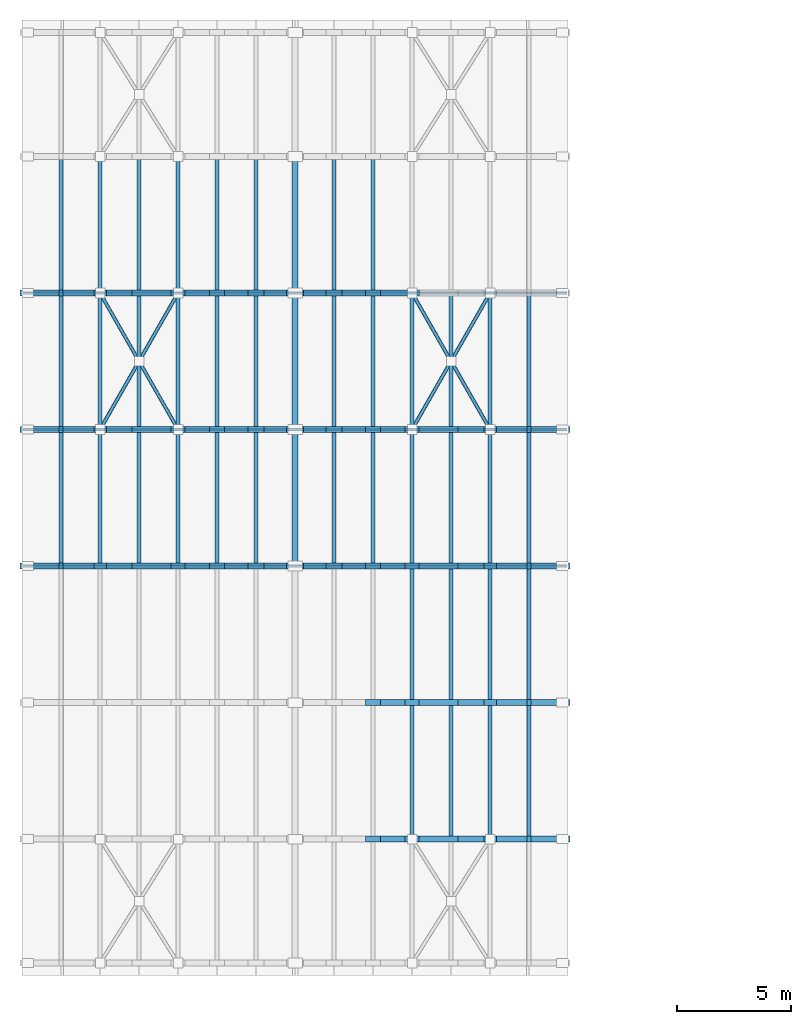
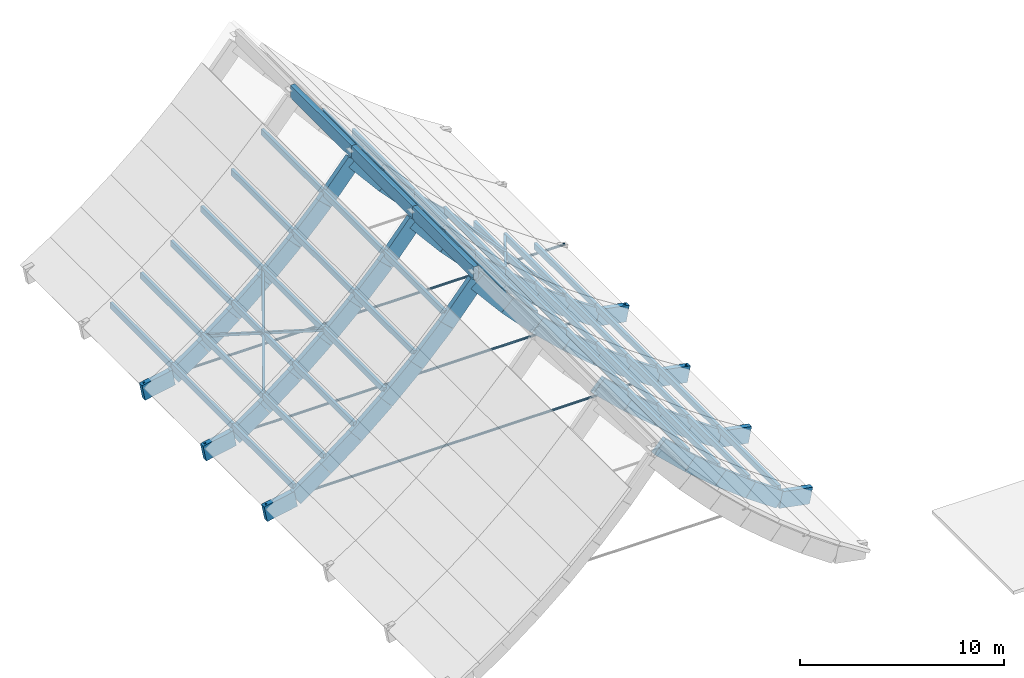
# One storey, part 2 of 7: 97 members, 3 beams.
"""IFC4 building model written with IfcOpenShell, lengths in metres."""

import ifcopenshell
import ifcopenshell.guid

model = None  # the IFC model being written
_history = None  # IfcOwnerHistory: only IFC2X3 demands one
_inside = {}  # id of a spatial element -> (the spatial element, [elements in it])
_under = {}  # id of a project, library or spatial element -> (it, [spatial elements below it])
_declared = {}  # id of a project -> (the project, [libraries it declares])
_typed = {}  # id of a type object -> (the type object, [elements of that type])
_made_of = {}  # id of a material, layer set ... -> (it, [elements and type objects made of it])


def new_model(schema):
    """Start an empty IFC model of exactly this schema.

    Asked for "IFC4X3", IfcOpenShell would pick the latest addendum, in which some entities
    have other attributes; the version numbers below select the first issue.
    IFC2X3 requires an IfcOwnerHistory on every rooted entity: one is made here for all.
    """
    global model, _history
    if schema == "IFC4X3":
        model = ifcopenshell.file(schema_version=(4, 3, 0, 0))
    else:
        model = ifcopenshell.file(schema=schema)
    _inside.clear()
    _under.clear()
    _declared.clear()
    _typed.clear()
    _made_of.clear()
    _history = None
    if model.schema == "IFC2X3":
        org = make("IfcOrganization", Name="unknown")
        user = make(
            "IfcPersonAndOrganization",
            ThePerson=make("IfcPerson", FamilyName="unknown"),
            TheOrganization=org,
        )
        app = make(
            "IfcApplication",
            ApplicationDeveloper=org,
            Version="unknown",
            ApplicationFullName="unknown",
            ApplicationIdentifier="unknown",
        )
        _history = make(
            "IfcOwnerHistory",
            OwningUser=user,
            OwningApplication=app,
            ChangeAction="ADDED",
            CreationDate=0,
        )
    return model


def make(cls, **values):
    """One entity of the class cls with the attributes given. An attribute that is None is left unset."""
    return model.create_entity(
        cls, **{name: value for name, value in values.items() if value is not None}
    )


def rooted(cls, **values):
    """An entity with a GlobalId (a new one), such as an element, a storey or a relation."""
    return make(cls, GlobalId=ifcopenshell.guid.new(), OwnerHistory=_history, **values)


def si_unit(unit_type, name, prefix=None):
    """IfcSIUnit, for example si_unit("LENGTHUNIT", "METRE", prefix="MILLI")."""
    return make("IfcSIUnit", UnitType=unit_type, Prefix=prefix, Name=name)


def assignment(units):
    """IfcUnitAssignment: the units of a project."""
    return None if units is None else make("IfcUnitAssignment", Units=units)


def point(xyz):
    """IfcCartesianPoint."""
    return None if xyz is None else make("IfcCartesianPoint", Coordinates=xyz)


def direction(xyz):
    """IfcDirection."""
    return None if xyz is None else make("IfcDirection", DirectionRatios=xyz)


def frame(location, z_axis=None, x_axis=None):
    """IfcAxis2Placement3D, a coordinate frame: its origin and axes. An axis left out is left unset."""
    return make(
        "IfcAxis2Placement3D",
        Location=point(location),
        Axis=direction(z_axis),
        RefDirection=direction(x_axis),
    )


def frame_2d(location, x_axis=None):
    """IfcAxis2Placement2D, a coordinate frame in the plane: its origin and x axis."""
    return make(
        "IfcAxis2Placement2D", Location=point(location), RefDirection=direction(x_axis)
    )


def origin():
    """The frame at (0, 0, 0) with its axes left unset."""
    return frame((0.0, 0.0, 0.0))


def origin_2d():
    """The frame at (0, 0) in the plane with its x axis left unset."""
    return frame_2d((0.0, 0.0))


def place(relative_to, where):
    """IfcLocalPlacement: puts the frame where relative to a parent placement (None: the world)."""
    return make(
        "IfcLocalPlacement", PlacementRelTo=relative_to, RelativePlacement=where
    )


def context(
    kind, dimensions, precision=None, world=None, true_north=None, identifier=None
):
    """IfcGeometricRepresentationContext, for example the 3D "Model" context."""
    return make(
        "IfcGeometricRepresentationContext",
        ContextIdentifier=identifier,
        ContextType=kind,
        CoordinateSpaceDimension=dimensions,
        Precision=precision,
        WorldCoordinateSystem=world,
        TrueNorth=true_north,
    )


def subcontext(parent, identifier, kind, view, scale=None):
    """IfcGeometricRepresentationSubContext, for example "Body" below "Model"."""
    return make(
        "IfcGeometricRepresentationSubContext",
        ContextIdentifier=identifier,
        ContextType=kind,
        ParentContext=parent,
        TargetScale=scale,
        TargetView=view,
    )


def project(units=None, contexts=None):
    """IfcProject with its units and contexts."""
    return rooted(
        "IfcProject",
        Name="project",
        RepresentationContexts=contexts,
        UnitsInContext=assignment(units),
    )


def spatial(cls, under=None, at=None, **own):
    """A site, building, storey or space (cls), placed at a placement, below another one or the project."""
    s = rooted(cls, ObjectPlacement=at, **own)
    if under is not None:
        _under.setdefault(under.id(), (under, []))[1].append(s)
    return s


def profile(cls, at=None, kind="AREA", **sizes):
    """A parametric profile (cls). Its sizes go by their IFC names, for example OverallWidth=200.0."""
    return make(cls, ProfileType=kind, Position=at, **sizes)


def rectangle(**sizes):
    """IfcRectangleProfileDef."""
    return profile("IfcRectangleProfileDef", **sizes)


def hollow_rectangle(**sizes):
    """IfcRectangleHollowProfileDef."""
    return profile("IfcRectangleHollowProfileDef", **sizes)


def hollow_circle(**sizes):
    """IfcCircleHollowProfileDef."""
    return profile("IfcCircleHollowProfileDef", **sizes)


def extrude(swept, where, along, depth):
    """IfcExtrudedAreaSolid: the profile swept, set in the frame where, extruded along a direction by depth."""
    return make(
        "IfcExtrudedAreaSolid",
        SweptArea=swept,
        Position=where,
        ExtrudedDirection=direction(along),
        Depth=depth,
    )


def shape(context_of_items, identifier, shape_type, items):
    """IfcShapeRepresentation: the items that make up one representation, for example the "Body"."""
    return make(
        "IfcShapeRepresentation",
        ContextOfItems=context_of_items,
        RepresentationIdentifier=identifier,
        RepresentationType=shape_type,
        Items=items,
    )


def material(Name=None, Category=None):
    """IfcMaterial."""
    return make("IfcMaterial", Name=Name, Category=Category)


def material_profile(
    of_material, cross_section, Name=None, Category=None, Priority=None
):
    """IfcMaterialProfile: a cross section and its material."""
    return make(
        "IfcMaterialProfile",
        Name=Name,
        Material=of_material,
        Profile=cross_section,
        Priority=Priority,
        Category=Category,
    )


def profile_set(profiles, Name=None, composite=None):
    """IfcMaterialProfileSet."""
    return make(
        "IfcMaterialProfileSet",
        Name=Name,
        MaterialProfiles=profiles,
        CompositeProfile=composite,
    )


def made_of(thing, what):
    """Note that an element or type object is made of a material, layer set ...; save() writes the relation."""
    if what is not None:
        _made_of.setdefault(what.id(), (what, []))[1].append(thing)
    return thing


def type_object(cls, material=None, **own):
    """A type object (cls), such as IfcWallType, which elements share."""
    return made_of(rooted(cls, **own), material)


def element(
    cls,
    number,
    at=None,
    inside=None,
    cuts=None,
    type_object=None,
    material=None,
    context=None,
    identifier="Body",
    shape_type=None,
    held_by="IfcProductDefinitionShape",
    body=None,
    shapes=None,
    **own,
):
    """One element of the class cls, such as IfcWall. Its Tag is "e" and its number.

    at: its placement. inside: the storey or other place that contains it. cuts: it is an
    opening in that element (IfcRelVoidsElement). A single representation is given by context,
    identifier, shape_type and body (its items); several are given by shapes. held_by: the class
    of the entity that holds the representations. save() writes the other relations.
    """
    e = rooted(cls, Tag="e%d" % number, ObjectPlacement=at, **own)
    if body is not None:
        shapes = [shape(context, identifier, shape_type, body)]
    if shapes is not None:
        e.Representation = make(held_by, Representations=shapes)
    if inside is not None:
        _inside.setdefault(inside.id(), (inside, []))[1].append(e)
    if cuts is not None:
        rooted(
            "IfcRelVoidsElement", RelatingBuildingElement=cuts, RelatedOpeningElement=e
        )
    if type_object is not None:
        _typed.setdefault(type_object.id(), (type_object, []))[1].append(e)
    return made_of(e, material)


def aggregate(whole, parts):
    """IfcRelAggregates: a whole, such as a stair, and the parts it consists of."""
    return rooted("IfcRelAggregates", RelatingObject=whole, RelatedObjects=parts)


def save(model, path):
    """Write the relations noted so far, then the file.

    IfcRelAggregates (storeys below a building ...), IfcRelContainedInSpatialStructure (elements
    in a storey), IfcRelDefinesByType, IfcRelAssociatesMaterial and IfcRelDeclares: one each for
    every whole, place, type object, material and project.
    """
    for whole, parts in _under.values():
        aggregate(whole, parts)
    for where, things in _inside.values():
        rooted(
            "IfcRelContainedInSpatialStructure",
            RelatedElements=things,
            RelatingStructure=where,
        )
    for kind, things in _typed.values():
        rooted("IfcRelDefinesByType", RelatedObjects=things, RelatingType=kind)
    for what, things in _made_of.values():
        rooted("IfcRelAssociatesMaterial", RelatedObjects=things, RelatingMaterial=what)
    for by, libraries in _declared.values():
        rooted("IfcRelDeclares", RelatingContext=by, RelatedDefinitions=libraries)
    model.write(path)


model = new_model("IFC4")

# Units and contexts
model_context = context("Model", 3, precision=1e-05, world=origin(), true_north=direction((0.0, 1.0)))
body_context = subcontext(model_context, "Body", "Model", "MODEL_VIEW")
ifc_project = project(units=[si_unit("LENGTHUNIT", "METRE"), si_unit("AREAUNIT", "SQUARE_METRE"), si_unit("VOLUMEUNIT", "CUBIC_METRE"), si_unit("PLANEANGLEUNIT", "RADIAN"), si_unit("MASSUNIT", "GRAM", prefix="KILO")], contexts=[model_context])

# Site, building, storey
site_placement = place(None, origin())
site = spatial("IfcSite", under=ifc_project, at=site_placement, CompositionType="ELEMENT")
building_placement = place(site_placement, origin())
building = spatial("IfcBuilding", under=site, at=building_placement, Name="Solvane Community Centre", CompositionType="ELEMENT")
storey_placement = place(building_placement, frame((0.0, 0.0, 22.199951171875)))
storey = spatial("IfcBuildingStorey", under=building, at=storey_placement, Name="RF", CompositionType="ELEMENT", Elevation=22.199951171875)

# Beams
ifc_material_1 = material(Name="Glulam GL32h", Category="wood")
ifc_material_profile_1 = material_profile(ifc_material_1, rectangle(XDim=0.260009765625, YDim=0.760009765625, at=origin_2d()), Name="GL32h 260x760")
ifc_profile_set_1 = profile_set([ifc_material_profile_1], Name="Glulam GL32h")
beam_type = type_object("IfcBeamType", Name="Glulam Vault Apex Ridge 260x760", PredefinedType="USERDEFINED", material=ifc_profile_set_1)
for number, where, z_axis, x_axis, name in (
    (1, (48.0, 54.0, 3.901123046875), (0.0, 1.0, 0.0), (-1.0, 0.0, 0.0), "Beam BM-RF-480_540-480_600"),
    (2, (48.0, 60.0, 3.901123046875), (0.0, 1.0, 0.0), (-1.0, 0.0, 0.0), "Beam BM-RF-480_600-480_660"),
    (3, (48.0, 66.0, 3.901123046875), (0.0, 1.0, 0.0), (-1.0, 0.0, 0.0), "Beam BM-RF-480_660-480_720"),
):
    element("IfcBeam", number, at=place(storey_placement, frame(where, z_axis=z_axis, x_axis=x_axis)), inside=storey, type_object=beam_type, Name=name, ObjectType="GIRDER", PredefinedType="USERDEFINED", context=body_context, shape_type="SweptSolid", body=[
        extrude(rectangle(XDim=0.260009765625, YDim=0.760009765625, at=origin_2d()), origin(), (0.0, 0.0, 1.0), 6.0),
    ])

# Members
ifc_material_profile_2 = material_profile(ifc_material_1, rectangle(XDim=0.280029296875, YDim=0.9599609375, at=origin_2d()), Name="GL32h 280x960")
ifc_profile_set_2 = profile_set([ifc_material_profile_2], Name="Glulam GL32h")
member_type_1 = type_object("IfcMemberType", Name="Main Hall Concave Vault Arch Rib 280x960", PredefinedType="USERDEFINED", material=ifc_profile_set_2)
member_1_placement = place(storey_placement, frame((51.428466796875, 42.0, -0.3740234375), z_axis=(0.727369263195, 0.0, -0.686246278648), x_axis=(0.0, 1.0, 0.0)))
element("IfcMember", 4, at=member_1_placement, inside=storey, type_object=member_type_1, Name="Member MEM-RF-0024", ObjectType="ARCH_SEGMENT", PredefinedType="USERDEFINED", context=body_context, shape_type="SweptSolid", body=[
    extrude(rectangle(XDim=0.280029296875, YDim=0.9599609375, at=origin_2d()), origin(), (0.0, 0.0, 1.0), 2.35693359375),
])
member_2_placement = place(storey_placement, frame((53.142822265625, 42.0, -1.991455078125), z_axis=(0.761120350915, 0.0, -0.648610677852), x_axis=(0.0, 1.0, 0.0)))
element("IfcMember", 5, at=member_2_placement, inside=storey, type_object=member_type_1, Name="Member MEM-RF-0025", ObjectType="ARCH_SEGMENT", PredefinedType="USERDEFINED", context=body_context, shape_type="SweptSolid", body=[
    extrude(rectangle(XDim=0.280029296875, YDim=0.9599609375, at=origin_2d()), origin(), (0.0, 0.0, 1.0), 2.25244140625),
])
member_3_placement = place(storey_placement, frame((54.857177734375, 42.0, -3.452392578125), z_axis=(0.791780697504, 0.0, -0.610805473993), x_axis=(0.0, 1.0, 0.0)))
element("IfcMember", 6, at=member_3_placement, inside=storey, type_object=member_type_1, Name="Member MEM-RF-0026", ObjectType="ARCH_SEGMENT", PredefinedType="USERDEFINED", context=body_context, shape_type="SweptSolid", body=[
    extrude(rectangle(XDim=0.280029296875, YDim=0.9599609375, at=origin_2d()), origin(), (0.0, 0.0, 1.0), 2.165283203125),
])
member_4_placement = place(storey_placement, frame((56.571533203125, 42.0, -4.77490234375), z_axis=(0.819489561323, 0.0, -0.57309410997), x_axis=(0.0, 1.0, 0.0)))
element("IfcMember", 7, at=member_4_placement, inside=storey, type_object=member_type_1, Name="Member MEM-RF-0027", ObjectType="ARCH_SEGMENT", PredefinedType="USERDEFINED", context=body_context, shape_type="SweptSolid", body=[
    extrude(rectangle(XDim=0.280029296875, YDim=0.9599609375, at=origin_2d()), origin(), (0.0, 0.0, 1.0), 2.091796875),
])
member_5_placement = place(storey_placement, frame((58.28564453125, 42.0, -5.9736328125), z_axis=(0.982352033108, 0.0, -0.187041393943), x_axis=(0.0, 1.0, 0.0)))
element("IfcMember", 8, at=member_5_placement, inside=storey, type_object=member_type_1, Name="Member MEM-RF-0028", ObjectType="ARCH_SEGMENT", PredefinedType="USERDEFINED", context=body_context, shape_type="SweptSolid", body=[
    extrude(rectangle(XDim=0.280029296875, YDim=0.9599609375, at=origin_2d()), origin(), (0.0, 0.0, 1.0), 1.7451171875),
])
member_6_placement = place(storey_placement, frame((51.428466796875, 48.0, -0.3740234375), z_axis=(0.727369263195, 0.0, -0.686246278648), x_axis=(0.0, 1.0, 0.0)))
element("IfcMember", 9, at=member_6_placement, inside=storey, type_object=member_type_1, Name="Member MEM-RF-0039", ObjectType="ARCH_SEGMENT", PredefinedType="USERDEFINED", context=body_context, shape_type="SweptSolid", body=[
    extrude(rectangle(XDim=0.280029296875, YDim=0.9599609375, at=origin_2d()), origin(), (0.0, 0.0, 1.0), 2.35693359375),
])
member_7_placement = place(storey_placement, frame((53.142822265625, 48.0, -1.991455078125), z_axis=(0.761120350915, 0.0, -0.648610677852), x_axis=(0.0, 1.0, 0.0)))
element("IfcMember", 10, at=member_7_placement, inside=storey, type_object=member_type_1, Name="Member MEM-RF-0040", ObjectType="ARCH_SEGMENT", PredefinedType="USERDEFINED", context=body_context, shape_type="SweptSolid", body=[
    extrude(rectangle(XDim=0.280029296875, YDim=0.9599609375, at=origin_2d()), origin(), (0.0, 0.0, 1.0), 2.25244140625),
])
member_8_placement = place(storey_placement, frame((54.857177734375, 48.0, -3.452392578125), z_axis=(0.791780697504, 0.0, -0.610805473993), x_axis=(0.0, 1.0, 0.0)))
element("IfcMember", 11, at=member_8_placement, inside=storey, type_object=member_type_1, Name="Member MEM-RF-0041", ObjectType="ARCH_SEGMENT", PredefinedType="USERDEFINED", context=body_context, shape_type="SweptSolid", body=[
    extrude(rectangle(XDim=0.280029296875, YDim=0.9599609375, at=origin_2d()), origin(), (0.0, 0.0, 1.0), 2.165283203125),
])
member_9_placement = place(storey_placement, frame((56.571533203125, 48.0, -4.77490234375), z_axis=(0.819489561323, 0.0, -0.57309410997), x_axis=(0.0, 1.0, 0.0)))
element("IfcMember", 12, at=member_9_placement, inside=storey, type_object=member_type_1, Name="Member MEM-RF-0042", ObjectType="ARCH_SEGMENT", PredefinedType="USERDEFINED", context=body_context, shape_type="SweptSolid", body=[
    extrude(rectangle(XDim=0.280029296875, YDim=0.9599609375, at=origin_2d()), origin(), (0.0, 0.0, 1.0), 2.091796875),
])
for number, where, z_axis, x_axis, name in (
    (13, (58.28564453125, 48.0, -5.9736328125), (0.982352033108, 0.0, -0.187041393943), (0.0, 1.0, 0.0), "Member MEM-RF-0043"),
    (14, (36.0, 54.0, -6.300048828125), (0.982352033108, 0.0, 0.187041393943), (0.0, 1.0, 0.0), "Member MEM-RF-0045"),
):
    element("IfcMember", number, at=place(storey_placement, frame(where, z_axis=z_axis, x_axis=x_axis)), inside=storey, type_object=member_type_1, Name=name, ObjectType="ARCH_SEGMENT", PredefinedType="USERDEFINED", context=body_context, shape_type="SweptSolid", body=[
        extrude(rectangle(XDim=0.280029296875, YDim=0.9599609375, at=origin_2d()), origin(), (0.0, 0.0, 1.0), 1.7451171875),
    ])
member_10_placement = place(storey_placement, frame((37.71435546875, 54.0, -5.9736328125), z_axis=(0.819489561323, 0.0, 0.57309410997), x_axis=(0.0, 1.0, 0.0)))
element("IfcMember", 15, at=member_10_placement, inside=storey, type_object=member_type_1, Name="Member MEM-RF-0046", ObjectType="ARCH_SEGMENT", PredefinedType="USERDEFINED", context=body_context, shape_type="SweptSolid", body=[
    extrude(rectangle(XDim=0.280029296875, YDim=0.9599609375, at=origin_2d()), origin(), (0.0, 0.0, 1.0), 2.091796875),
])
member_11_placement = place(storey_placement, frame((39.428466796875, 54.0, -4.77490234375), z_axis=(0.791780697504, 0.0, 0.610805473993), x_axis=(0.0, 1.0, 0.0)))
element("IfcMember", 16, at=member_11_placement, inside=storey, type_object=member_type_1, Name="Member MEM-RF-0047", ObjectType="ARCH_SEGMENT", PredefinedType="USERDEFINED", context=body_context, shape_type="SweptSolid", body=[
    extrude(rectangle(XDim=0.280029296875, YDim=0.9599609375, at=origin_2d()), origin(), (0.0, 0.0, 1.0), 2.165283203125),
])
member_12_placement = place(storey_placement, frame((41.142822265625, 54.0, -3.452392578125), z_axis=(0.761120350915, 0.0, 0.648610677852), x_axis=(0.0, 1.0, 0.0)))
element("IfcMember", 17, at=member_12_placement, inside=storey, type_object=member_type_1, Name="Member MEM-RF-0048", ObjectType="ARCH_SEGMENT", PredefinedType="USERDEFINED", context=body_context, shape_type="SweptSolid", body=[
    extrude(rectangle(XDim=0.280029296875, YDim=0.9599609375, at=origin_2d()), origin(), (0.0, 0.0, 1.0), 2.25244140625),
])
member_13_placement = place(storey_placement, frame((42.857177734375, 54.0, -1.991455078125), z_axis=(0.727369263195, 0.0, 0.686246278648), x_axis=(0.0, 1.0, 0.0)))
element("IfcMember", 18, at=member_13_placement, inside=storey, type_object=member_type_1, Name="Member MEM-RF-0049", ObjectType="ARCH_SEGMENT", PredefinedType="USERDEFINED", context=body_context, shape_type="SweptSolid", body=[
    extrude(rectangle(XDim=0.280029296875, YDim=0.9599609375, at=origin_2d()), origin(), (0.0, 0.0, 1.0), 2.35693359375),
])
member_14_placement = place(storey_placement, frame((44.571533203125, 54.0, -0.3740234375), z_axis=(0.689706682626, 0.0, 0.724088870195), x_axis=(0.0, 1.0, 0.0)))
element("IfcMember", 19, at=member_14_placement, inside=storey, type_object=member_type_1, Name="Member MEM-RF-0050", ObjectType="ARCH_SEGMENT", PredefinedType="USERDEFINED", context=body_context, shape_type="SweptSolid", body=[
    extrude(rectangle(XDim=0.280029296875, YDim=0.9599609375, at=origin_2d()), origin(), (0.0, 0.0, 1.0), 2.4853515625),
])
for number, where, z_axis, x_axis, name in (
    (20, (46.28564453125, 54.0, 1.425537109375), (0.643260831672, 0.0, 0.765647113517), (0.0, 1.0, 0.0), "Member MEM-RF-0051"),
    (21, (48.0, 54.0, 3.466064453125), (0.643260831672, 0.0, -0.765647113517), (0.0, 1.0, 0.0), "Member MEM-RF-0052"),
):
    element("IfcMember", number, at=place(storey_placement, frame(where, z_axis=z_axis, x_axis=x_axis)), inside=storey, type_object=member_type_1, Name=name, ObjectType="ARCH_SEGMENT", PredefinedType="USERDEFINED", context=body_context, shape_type="SweptSolid", body=[
        extrude(rectangle(XDim=0.280029296875, YDim=0.9599609375, at=origin_2d()), origin(), (0.0, 0.0, 1.0), 2.6650390625),
    ])
member_15_placement = place(storey_placement, frame((49.71435546875, 54.0, 1.425537109375), z_axis=(0.689706682626, 0.0, -0.724088870195), x_axis=(0.0, 1.0, 0.0)))
element("IfcMember", 22, at=member_15_placement, inside=storey, type_object=member_type_1, Name="Member MEM-RF-0053", ObjectType="ARCH_SEGMENT", PredefinedType="USERDEFINED", context=body_context, shape_type="SweptSolid", body=[
    extrude(rectangle(XDim=0.280029296875, YDim=0.9599609375, at=origin_2d()), origin(), (0.0, 0.0, 1.0), 2.4853515625),
])
member_16_placement = place(storey_placement, frame((51.428466796875, 54.0, -0.3740234375), z_axis=(0.727369263195, 0.0, -0.686246278648), x_axis=(0.0, 1.0, 0.0)))
element("IfcMember", 23, at=member_16_placement, inside=storey, type_object=member_type_1, Name="Member MEM-RF-0054", ObjectType="ARCH_SEGMENT", PredefinedType="USERDEFINED", context=body_context, shape_type="SweptSolid", body=[
    extrude(rectangle(XDim=0.280029296875, YDim=0.9599609375, at=origin_2d()), origin(), (0.0, 0.0, 1.0), 2.35693359375),
])
member_17_placement = place(storey_placement, frame((53.142822265625, 54.0, -1.991455078125), z_axis=(0.761120350915, 0.0, -0.648610677852), x_axis=(0.0, 1.0, 0.0)))
element("IfcMember", 24, at=member_17_placement, inside=storey, type_object=member_type_1, Name="Member MEM-RF-0055", ObjectType="ARCH_SEGMENT", PredefinedType="USERDEFINED", context=body_context, shape_type="SweptSolid", body=[
    extrude(rectangle(XDim=0.280029296875, YDim=0.9599609375, at=origin_2d()), origin(), (0.0, 0.0, 1.0), 2.25244140625),
])
member_18_placement = place(storey_placement, frame((54.857177734375, 54.0, -3.452392578125), z_axis=(0.791780697504, 0.0, -0.610805473993), x_axis=(0.0, 1.0, 0.0)))
element("IfcMember", 25, at=member_18_placement, inside=storey, type_object=member_type_1, Name="Member MEM-RF-0056", ObjectType="ARCH_SEGMENT", PredefinedType="USERDEFINED", context=body_context, shape_type="SweptSolid", body=[
    extrude(rectangle(XDim=0.280029296875, YDim=0.9599609375, at=origin_2d()), origin(), (0.0, 0.0, 1.0), 2.165283203125),
])
member_19_placement = place(storey_placement, frame((56.571533203125, 54.0, -4.77490234375), z_axis=(0.819489561323, 0.0, -0.57309410997), x_axis=(0.0, 1.0, 0.0)))
element("IfcMember", 26, at=member_19_placement, inside=storey, type_object=member_type_1, Name="Member MEM-RF-0057", ObjectType="ARCH_SEGMENT", PredefinedType="USERDEFINED", context=body_context, shape_type="SweptSolid", body=[
    extrude(rectangle(XDim=0.280029296875, YDim=0.9599609375, at=origin_2d()), origin(), (0.0, 0.0, 1.0), 2.091796875),
])
for number, where, z_axis, x_axis, name in (
    (27, (58.28564453125, 54.0, -5.9736328125), (0.982352033108, 0.0, -0.187041393943), (0.0, 1.0, 0.0), "Member MEM-RF-0058"),
    (28, (36.0, 60.0, -6.300048828125), (0.982352033108, 0.0, 0.187041393943), (0.0, 1.0, 0.0), "Member MEM-RF-0060"),
):
    element("IfcMember", number, at=place(storey_placement, frame(where, z_axis=z_axis, x_axis=x_axis)), inside=storey, type_object=member_type_1, Name=name, ObjectType="ARCH_SEGMENT", PredefinedType="USERDEFINED", context=body_context, shape_type="SweptSolid", body=[
        extrude(rectangle(XDim=0.280029296875, YDim=0.9599609375, at=origin_2d()), origin(), (0.0, 0.0, 1.0), 1.7451171875),
    ])
member_20_placement = place(storey_placement, frame((37.71435546875, 60.0, -5.9736328125), z_axis=(0.819489561323, 0.0, 0.57309410997), x_axis=(0.0, 1.0, 0.0)))
element("IfcMember", 29, at=member_20_placement, inside=storey, type_object=member_type_1, Name="Member MEM-RF-0061", ObjectType="ARCH_SEGMENT", PredefinedType="USERDEFINED", context=body_context, shape_type="SweptSolid", body=[
    extrude(rectangle(XDim=0.280029296875, YDim=0.9599609375, at=origin_2d()), origin(), (0.0, 0.0, 1.0), 2.091796875),
])
member_21_placement = place(storey_placement, frame((39.428466796875, 60.0, -4.77490234375), z_axis=(0.791780697504, 0.0, 0.610805473993), x_axis=(0.0, 1.0, 0.0)))
element("IfcMember", 30, at=member_21_placement, inside=storey, type_object=member_type_1, Name="Member MEM-RF-0062", ObjectType="ARCH_SEGMENT", PredefinedType="USERDEFINED", context=body_context, shape_type="SweptSolid", body=[
    extrude(rectangle(XDim=0.280029296875, YDim=0.9599609375, at=origin_2d()), origin(), (0.0, 0.0, 1.0), 2.165283203125),
])
member_22_placement = place(storey_placement, frame((41.142822265625, 60.0, -3.452392578125), z_axis=(0.761120350915, 0.0, 0.648610677852), x_axis=(0.0, 1.0, 0.0)))
element("IfcMember", 31, at=member_22_placement, inside=storey, type_object=member_type_1, Name="Member MEM-RF-0063", ObjectType="ARCH_SEGMENT", PredefinedType="USERDEFINED", context=body_context, shape_type="SweptSolid", body=[
    extrude(rectangle(XDim=0.280029296875, YDim=0.9599609375, at=origin_2d()), origin(), (0.0, 0.0, 1.0), 2.25244140625),
])
member_23_placement = place(storey_placement, frame((42.857177734375, 60.0, -1.991455078125), z_axis=(0.727369263195, 0.0, 0.686246278648), x_axis=(0.0, 1.0, 0.0)))
element("IfcMember", 32, at=member_23_placement, inside=storey, type_object=member_type_1, Name="Member MEM-RF-0064", ObjectType="ARCH_SEGMENT", PredefinedType="USERDEFINED", context=body_context, shape_type="SweptSolid", body=[
    extrude(rectangle(XDim=0.280029296875, YDim=0.9599609375, at=origin_2d()), origin(), (0.0, 0.0, 1.0), 2.35693359375),
])
member_24_placement = place(storey_placement, frame((44.571533203125, 60.0, -0.3740234375), z_axis=(0.689706682626, 0.0, 0.724088870195), x_axis=(0.0, 1.0, 0.0)))
element("IfcMember", 33, at=member_24_placement, inside=storey, type_object=member_type_1, Name="Member MEM-RF-0065", ObjectType="ARCH_SEGMENT", PredefinedType="USERDEFINED", context=body_context, shape_type="SweptSolid", body=[
    extrude(rectangle(XDim=0.280029296875, YDim=0.9599609375, at=origin_2d()), origin(), (0.0, 0.0, 1.0), 2.4853515625),
])
for number, where, z_axis, x_axis, name in (
    (34, (46.28564453125, 60.0, 1.425537109375), (0.643260831672, 0.0, 0.765647113517), (0.0, 1.0, 0.0), "Member MEM-RF-0066"),
    (35, (48.0, 60.0, 3.466064453125), (0.643260831672, 0.0, -0.765647113517), (0.0, 1.0, 0.0), "Member MEM-RF-0067"),
):
    element("IfcMember", number, at=place(storey_placement, frame(where, z_axis=z_axis, x_axis=x_axis)), inside=storey, type_object=member_type_1, Name=name, ObjectType="ARCH_SEGMENT", PredefinedType="USERDEFINED", context=body_context, shape_type="SweptSolid", body=[
        extrude(rectangle(XDim=0.280029296875, YDim=0.9599609375, at=origin_2d()), origin(), (0.0, 0.0, 1.0), 2.6650390625),
    ])
member_25_placement = place(storey_placement, frame((49.71435546875, 60.0, 1.425537109375), z_axis=(0.689706682626, 0.0, -0.724088870195), x_axis=(0.0, 1.0, 0.0)))
element("IfcMember", 36, at=member_25_placement, inside=storey, type_object=member_type_1, Name="Member MEM-RF-0068", ObjectType="ARCH_SEGMENT", PredefinedType="USERDEFINED", context=body_context, shape_type="SweptSolid", body=[
    extrude(rectangle(XDim=0.280029296875, YDim=0.9599609375, at=origin_2d()), origin(), (0.0, 0.0, 1.0), 2.4853515625),
])
member_26_placement = place(storey_placement, frame((51.428466796875, 60.0, -0.3740234375), z_axis=(0.727369263195, 0.0, -0.686246278648), x_axis=(0.0, 1.0, 0.0)))
element("IfcMember", 37, at=member_26_placement, inside=storey, type_object=member_type_1, Name="Member MEM-RF-0069", ObjectType="ARCH_SEGMENT", PredefinedType="USERDEFINED", context=body_context, shape_type="SweptSolid", body=[
    extrude(rectangle(XDim=0.280029296875, YDim=0.9599609375, at=origin_2d()), origin(), (0.0, 0.0, 1.0), 2.35693359375),
])
member_27_placement = place(storey_placement, frame((53.142822265625, 60.0, -1.991455078125), z_axis=(0.761120350915, 0.0, -0.648610677852), x_axis=(0.0, 1.0, 0.0)))
element("IfcMember", 38, at=member_27_placement, inside=storey, type_object=member_type_1, Name="Member MEM-RF-0070", ObjectType="ARCH_SEGMENT", PredefinedType="USERDEFINED", context=body_context, shape_type="SweptSolid", body=[
    extrude(rectangle(XDim=0.280029296875, YDim=0.9599609375, at=origin_2d()), origin(), (0.0, 0.0, 1.0), 2.25244140625),
])
member_28_placement = place(storey_placement, frame((54.857177734375, 60.0, -3.452392578125), z_axis=(0.791780697504, 0.0, -0.610805473993), x_axis=(0.0, 1.0, 0.0)))
element("IfcMember", 39, at=member_28_placement, inside=storey, type_object=member_type_1, Name="Member MEM-RF-0071", ObjectType="ARCH_SEGMENT", PredefinedType="USERDEFINED", context=body_context, shape_type="SweptSolid", body=[
    extrude(rectangle(XDim=0.280029296875, YDim=0.9599609375, at=origin_2d()), origin(), (0.0, 0.0, 1.0), 2.165283203125),
])
member_29_placement = place(storey_placement, frame((56.571533203125, 60.0, -4.77490234375), z_axis=(0.819489561323, 0.0, -0.57309410997), x_axis=(0.0, 1.0, 0.0)))
element("IfcMember", 40, at=member_29_placement, inside=storey, type_object=member_type_1, Name="Member MEM-RF-0072", ObjectType="ARCH_SEGMENT", PredefinedType="USERDEFINED", context=body_context, shape_type="SweptSolid", body=[
    extrude(rectangle(XDim=0.280029296875, YDim=0.9599609375, at=origin_2d()), origin(), (0.0, 0.0, 1.0), 2.091796875),
])
for number, where, z_axis, x_axis, name in (
    (41, (58.28564453125, 60.0, -5.9736328125), (0.982352033108, 0.0, -0.187041393943), (0.0, 1.0, 0.0), "Member MEM-RF-0073"),
    (42, (36.0, 66.0, -6.300048828125), (0.982352033108, 0.0, 0.187041393943), (0.0, 1.0, 0.0), "Member MEM-RF-0075"),
):
    element("IfcMember", number, at=place(storey_placement, frame(where, z_axis=z_axis, x_axis=x_axis)), inside=storey, type_object=member_type_1, Name=name, ObjectType="ARCH_SEGMENT", PredefinedType="USERDEFINED", context=body_context, shape_type="SweptSolid", body=[
        extrude(rectangle(XDim=0.280029296875, YDim=0.9599609375, at=origin_2d()), origin(), (0.0, 0.0, 1.0), 1.7451171875),
    ])
member_30_placement = place(storey_placement, frame((37.71435546875, 66.0, -5.9736328125), z_axis=(0.819489561323, 0.0, 0.57309410997), x_axis=(0.0, 1.0, 0.0)))
element("IfcMember", 43, at=member_30_placement, inside=storey, type_object=member_type_1, Name="Member MEM-RF-0076", ObjectType="ARCH_SEGMENT", PredefinedType="USERDEFINED", context=body_context, shape_type="SweptSolid", body=[
    extrude(rectangle(XDim=0.280029296875, YDim=0.9599609375, at=origin_2d()), origin(), (0.0, 0.0, 1.0), 2.091796875),
])
member_31_placement = place(storey_placement, frame((39.428466796875, 66.0, -4.77490234375), z_axis=(0.791780697504, 0.0, 0.610805473993), x_axis=(0.0, 1.0, 0.0)))
element("IfcMember", 44, at=member_31_placement, inside=storey, type_object=member_type_1, Name="Member MEM-RF-0077", ObjectType="ARCH_SEGMENT", PredefinedType="USERDEFINED", context=body_context, shape_type="SweptSolid", body=[
    extrude(rectangle(XDim=0.280029296875, YDim=0.9599609375, at=origin_2d()), origin(), (0.0, 0.0, 1.0), 2.165283203125),
])
member_32_placement = place(storey_placement, frame((41.142822265625, 66.0, -3.452392578125), z_axis=(0.761120350915, 0.0, 0.648610677852), x_axis=(0.0, 1.0, 0.0)))
element("IfcMember", 45, at=member_32_placement, inside=storey, type_object=member_type_1, Name="Member MEM-RF-0078", ObjectType="ARCH_SEGMENT", PredefinedType="USERDEFINED", context=body_context, shape_type="SweptSolid", body=[
    extrude(rectangle(XDim=0.280029296875, YDim=0.9599609375, at=origin_2d()), origin(), (0.0, 0.0, 1.0), 2.25244140625),
])
member_33_placement = place(storey_placement, frame((42.857177734375, 66.0, -1.991455078125), z_axis=(0.727369263195, 0.0, 0.686246278648), x_axis=(0.0, 1.0, 0.0)))
element("IfcMember", 46, at=member_33_placement, inside=storey, type_object=member_type_1, Name="Member MEM-RF-0079", ObjectType="ARCH_SEGMENT", PredefinedType="USERDEFINED", context=body_context, shape_type="SweptSolid", body=[
    extrude(rectangle(XDim=0.280029296875, YDim=0.9599609375, at=origin_2d()), origin(), (0.0, 0.0, 1.0), 2.35693359375),
])
member_34_placement = place(storey_placement, frame((44.571533203125, 66.0, -0.3740234375), z_axis=(0.689706682626, 0.0, 0.724088870195), x_axis=(0.0, 1.0, 0.0)))
element("IfcMember", 47, at=member_34_placement, inside=storey, type_object=member_type_1, Name="Member MEM-RF-0080", ObjectType="ARCH_SEGMENT", PredefinedType="USERDEFINED", context=body_context, shape_type="SweptSolid", body=[
    extrude(rectangle(XDim=0.280029296875, YDim=0.9599609375, at=origin_2d()), origin(), (0.0, 0.0, 1.0), 2.4853515625),
])
for number, where, z_axis, x_axis, name in (
    (48, (46.28564453125, 66.0, 1.425537109375), (0.643260831672, 0.0, 0.765647113517), (0.0, 1.0, 0.0), "Member MEM-RF-0081"),
    (49, (48.0, 66.0, 3.466064453125), (0.643260831672, 0.0, -0.765647113517), (0.0, 1.0, 0.0), "Member MEM-RF-0082"),
):
    element("IfcMember", number, at=place(storey_placement, frame(where, z_axis=z_axis, x_axis=x_axis)), inside=storey, type_object=member_type_1, Name=name, ObjectType="ARCH_SEGMENT", PredefinedType="USERDEFINED", context=body_context, shape_type="SweptSolid", body=[
        extrude(rectangle(XDim=0.280029296875, YDim=0.9599609375, at=origin_2d()), origin(), (0.0, 0.0, 1.0), 2.6650390625),
    ])
member_35_placement = place(storey_placement, frame((49.71435546875, 66.0, 1.425537109375), z_axis=(0.689706682626, 0.0, -0.724088870195), x_axis=(0.0, 1.0, 0.0)))
element("IfcMember", 50, at=member_35_placement, inside=storey, type_object=member_type_1, Name="Member MEM-RF-0083", ObjectType="ARCH_SEGMENT", PredefinedType="USERDEFINED", context=body_context, shape_type="SweptSolid", body=[
    extrude(rectangle(XDim=0.280029296875, YDim=0.9599609375, at=origin_2d()), origin(), (0.0, 0.0, 1.0), 2.4853515625),
])
member_36_placement = place(storey_placement, frame((51.428466796875, 66.0, -0.3740234375), z_axis=(0.727369263195, 0.0, -0.686246278648), x_axis=(0.0, 1.0, 0.0)))
element("IfcMember", 51, at=member_36_placement, inside=storey, type_object=member_type_1, Name="Member MEM-RF-0084", ObjectType="ARCH_SEGMENT", PredefinedType="USERDEFINED", context=body_context, shape_type="SweptSolid", body=[
    extrude(rectangle(XDim=0.280029296875, YDim=0.9599609375, at=origin_2d()), origin(), (0.0, 0.0, 1.0), 2.35693359375),
])
ifc_material_2 = material(Name="Glulam GL28h", Category="wood")
ifc_material_profile_3 = material_profile(ifc_material_2, rectangle(XDim=0.159912109375, YDim=0.360107421875, at=origin_2d()), Name="GL28h 160x360")
ifc_profile_set_3 = profile_set([ifc_material_profile_3], Name="Glulam GL28h")
member_type_2 = type_object("IfcMemberType", Name="Main Hall Vault Purlin 160x360", PredefinedType="PURLIN", material=ifc_profile_set_3)
for number, where, z_axis, x_axis, name in (
    (52, (53.142822265625, 42.0, -1.3564453125), (0.0, 1.0, 0.0), (-1.0, 0.0, 0.0), "Member MEM-RF-0143"),
    (53, (54.857177734375, 42.0, -2.8173828125), (0.0, 1.0, 0.0), (-1.0, 0.0, 0.0), "Member MEM-RF-0144"),
    (54, (56.571533203125, 42.0, -4.139892578125), (0.0, 1.0, 0.0), (-1.0, 0.0, 0.0), "Member MEM-RF-0145"),
    (55, (58.28564453125, 42.0, -5.338623046875), (0.0, 1.0, 0.0), (-1.0, 0.0, 0.0), "Member MEM-RF-0146"),
    (56, (53.142822265625, 48.0, -1.3564453125), (0.0, 1.0, 0.0), (-1.0, 0.0, 0.0), "Member MEM-RF-0155"),
    (57, (54.857177734375, 48.0, -2.8173828125), (0.0, 1.0, 0.0), (-1.0, 0.0, 0.0), "Member MEM-RF-0156"),
    (58, (56.571533203125, 48.0, -4.139892578125), (0.0, 1.0, 0.0), (-1.0, 0.0, 0.0), "Member MEM-RF-0157"),
    (59, (58.28564453125, 48.0, -5.338623046875), (0.0, 1.0, 0.0), (-1.0, 0.0, 0.0), "Member MEM-RF-0158"),
    (60, (37.71435546875, 54.0, -5.338623046875), (0.0, 1.0, 0.0), (-1.0, 0.0, 0.0), "Member MEM-RF-0159"),
    (61, (39.428466796875, 54.0, -4.139892578125), (0.0, 1.0, 0.0), (-1.0, 0.0, 0.0), "Member MEM-RF-0160"),
    (62, (41.142822265625, 54.0, -2.8173828125), (0.0, 1.0, 0.0), (-1.0, 0.0, 0.0), "Member MEM-RF-0161"),
    (63, (42.857177734375, 54.0, -1.3564453125), (0.0, 1.0, 0.0), (-1.0, 0.0, 0.0), "Member MEM-RF-0162"),
    (64, (44.571533203125, 54.0, 0.260986328125), (0.0, 1.0, 0.0), (-1.0, 0.0, 0.0), "Member MEM-RF-0163"),
    (65, (46.28564453125, 54.0, 2.060546875), (0.0, 1.0, 0.0), (-1.0, 0.0, 0.0), "Member MEM-RF-0164"),
    (66, (49.71435546875, 54.0, 2.060546875), (0.0, 1.0, 0.0), (-1.0, 0.0, 0.0), "Member MEM-RF-0165"),
    (67, (51.428466796875, 54.0, 0.260986328125), (0.0, 1.0, 0.0), (-1.0, 0.0, 0.0), "Member MEM-RF-0166"),
    (68, (53.142822265625, 54.0, -1.3564453125), (0.0, 1.0, 0.0), (-1.0, 0.0, 0.0), "Member MEM-RF-0167"),
    (69, (54.857177734375, 54.0, -2.8173828125), (0.0, 1.0, 0.0), (-1.0, 0.0, 0.0), "Member MEM-RF-0168"),
    (70, (56.571533203125, 54.0, -4.139892578125), (0.0, 1.0, 0.0), (-1.0, 0.0, 0.0), "Member MEM-RF-0169"),
    (71, (58.28564453125, 54.0, -5.338623046875), (0.0, 1.0, 0.0), (-1.0, 0.0, 0.0), "Member MEM-RF-0170"),
    (72, (37.71435546875, 60.0, -5.338623046875), (0.0, 1.0, 0.0), (-1.0, 0.0, 0.0), "Member MEM-RF-0171"),
    (73, (39.428466796875, 60.0, -4.139892578125), (0.0, 1.0, 0.0), (-1.0, 0.0, 0.0), "Member MEM-RF-0172"),
    (74, (41.142822265625, 60.0, -2.8173828125), (0.0, 1.0, 0.0), (-1.0, 0.0, 0.0), "Member MEM-RF-0173"),
    (75, (42.857177734375, 60.0, -1.3564453125), (0.0, 1.0, 0.0), (-1.0, 0.0, 0.0), "Member MEM-RF-0174"),
    (76, (44.571533203125, 60.0, 0.260986328125), (0.0, 1.0, 0.0), (-1.0, 0.0, 0.0), "Member MEM-RF-0175"),
    (77, (46.28564453125, 60.0, 2.060546875), (0.0, 1.0, 0.0), (-1.0, 0.0, 0.0), "Member MEM-RF-0176"),
    (78, (49.71435546875, 60.0, 2.060546875), (0.0, 1.0, 0.0), (-1.0, 0.0, 0.0), "Member MEM-RF-0177"),
    (79, (51.428466796875, 60.0, 0.260986328125), (0.0, 1.0, 0.0), (-1.0, 0.0, 0.0), "Member MEM-RF-0178"),
    (80, (53.142822265625, 60.0, -1.3564453125), (0.0, 1.0, 0.0), (-1.0, 0.0, 0.0), "Member MEM-RF-0179"),
    (81, (54.857177734375, 60.0, -2.8173828125), (0.0, 1.0, 0.0), (-1.0, 0.0, 0.0), "Member MEM-RF-0180"),
    (82, (56.571533203125, 60.0, -4.139892578125), (0.0, 1.0, 0.0), (-1.0, 0.0, 0.0), "Member MEM-RF-0181"),
    (83, (58.28564453125, 60.0, -5.338623046875), (0.0, 1.0, 0.0), (-1.0, 0.0, 0.0), "Member MEM-RF-0182"),
    (84, (37.71435546875, 66.0, -5.338623046875), (0.0, 1.0, 0.0), (-1.0, 0.0, 0.0), "Member MEM-RF-0187"),
    (85, (39.428466796875, 66.0, -4.139892578125), (0.0, 1.0, 0.0), (-1.0, 0.0, 0.0), "Member MEM-RF-0188"),
    (86, (41.142822265625, 66.0, -2.8173828125), (0.0, 1.0, 0.0), (-1.0, 0.0, 0.0), "Member MEM-RF-0189"),
    (87, (42.857177734375, 66.0, -1.3564453125), (0.0, 1.0, 0.0), (-1.0, 0.0, 0.0), "Member MEM-RF-0190"),
    (88, (44.571533203125, 66.0, 0.260986328125), (0.0, 1.0, 0.0), (-1.0, 0.0, 0.0), "Member MEM-RF-0191"),
    (89, (46.28564453125, 66.0, 2.060546875), (0.0, 1.0, 0.0), (-1.0, 0.0, 0.0), "Member MEM-RF-0192"),
    (90, (49.71435546875, 66.0, 2.060546875), (0.0, 1.0, 0.0), (-1.0, 0.0, 0.0), "Member MEM-RF-0193"),
    (91, (51.428466796875, 66.0, 0.260986328125), (0.0, 1.0, 0.0), (-1.0, 0.0, 0.0), "Member MEM-RF-0194"),
):
    element("IfcMember", number, at=place(storey_placement, frame(where, z_axis=z_axis, x_axis=x_axis)), inside=storey, type_object=member_type_2, Name=name, PredefinedType="PURLIN", context=body_context, shape_type="SweptSolid", body=[
        extrude(rectangle(XDim=0.159912109375, YDim=0.360107421875, at=origin_2d()), origin(), (0.0, 0.0, 1.0), 6.0),
    ])
ifc_material_3 = material(Name="Steel ASTM A572 Grade 50", Category="steel")
ifc_material_profile_4 = material_profile(ifc_material_3, hollow_circle(Radius=0.06982421875, WallThickness=0.008056640625, at=origin_2d()), Name="CHS 139.7x8.0")
ifc_profile_set_4 = profile_set([ifc_material_profile_4], Name="Steel ASTM A572 Grade 50")
member_type_3 = type_object("IfcMemberType", Name="Main Vault Tension Tie Rod CHS140", PredefinedType="CHORD", material=ifc_profile_set_4)
for number, where, z_axis, x_axis, name in (
    (92, (36.0400390625, 54.0, -5.849853515625), (1.0, 0.0, 0.0), (0.0, 1.0, 0.0), "Member MEM-RF-0059"),
    (93, (36.0400390625, 60.0, -5.849853515625), (1.0, 0.0, 0.0), (0.0, 1.0, 0.0), "Member MEM-RF-0074"),
    (94, (36.0400390625, 66.0, -5.849853515625), (1.0, 0.0, 0.0), (0.0, 1.0, 0.0), "Member MEM-RF-0089"),
):
    element("IfcMember", number, at=place(storey_placement, frame(where, z_axis=z_axis, x_axis=x_axis)), inside=storey, type_object=member_type_3, Name=name, PredefinedType="CHORD", context=body_context, shape_type="SweptSolid", body=[
        extrude(hollow_circle(Radius=0.06982421875, WallThickness=0.008056640625, at=origin_2d()), origin(), (0.0, 0.0, 1.0), 23.919921875),
    ])
ifc_material_profile_5 = material_profile(ifc_material_3, hollow_rectangle(XDim=0.15234375, YDim=0.15234375, WallThickness=0.009521484375, InnerFilletRadius=0.009521484375, OuterFilletRadius=0.01904296875, at=origin_2d()), Name="HSS 152x152x9.5")
ifc_profile_set_5 = profile_set([ifc_material_profile_5], Name="Steel ASTM A572 Grade 50")
member_type_4 = type_object("IfcMemberType", Name="Main Vault Wind X-Brace HSS152", PredefinedType="BRACE", material=ifc_profile_set_5)
member_37_placement = place(storey_placement, frame((39.428466796875, 60.0, -4.139892578125), z_axis=(0.460224940532, 0.805360875714, 0.373613254558), x_axis=(-0.868234445733, 0.496154156733, 0.0)))
element("IfcMember", 95, at=member_37_placement, inside=storey, type_object=member_type_4, Name="Member MEM-RF-0183", PredefinedType="BRACE", context=body_context, shape_type="SweptSolid", body=[
    extrude(hollow_rectangle(XDim=0.15234375, YDim=0.15234375, WallThickness=0.009521484375, InnerFilletRadius=0.009521484375, OuterFilletRadius=0.01904296875, at=origin_2d()), origin(), (0.0, 0.0, 1.0), 7.4501953125),
])
for number, where, z_axis, x_axis, name in (
    (96, (42.857177734375, 60.0, -1.3564453125), (-0.460218048889, 0.805364840611, -0.373613197017), (-0.868238698471, -0.49614671467, 0.0), "Member MEM-RF-0184"),
    (97, (41.10595703125, 63.064453125, -2.778076171875), (-0.460218048889, 0.805364840611, -0.373613197017), (-0.868238698471, -0.49614671467, 0.0), "Member MEM-XBR-RF-0003"),
):
    element("IfcMember", number, at=place(storey_placement, frame(where, z_axis=z_axis, x_axis=x_axis)), inside=storey, type_object=member_type_4, Name=name, PredefinedType="BRACE", context=body_context, shape_type="SweptSolid", body=[
        extrude(hollow_rectangle(XDim=0.15234375, YDim=0.15234375, WallThickness=0.009521484375, InnerFilletRadius=0.009521484375, OuterFilletRadius=0.01904296875, at=origin_2d()), origin(), (0.0, 0.0, 1.0), 3.64501953125),
    ])
member_38_placement = place(storey_placement, frame((53.142822265625, 60.0, -1.3564453125), z_axis=(0.460224940532, 0.805360875714, -0.373613254558), x_axis=(-0.868234445733, 0.496154156733, 0.0)))
element("IfcMember", 98, at=member_38_placement, inside=storey, type_object=member_type_4, Name="Member MEM-RF-0185", PredefinedType="BRACE", context=body_context, shape_type="SweptSolid", body=[
    extrude(hollow_rectangle(XDim=0.15234375, YDim=0.15234375, WallThickness=0.009521484375, InnerFilletRadius=0.009521484375, OuterFilletRadius=0.01904296875, at=origin_2d()), origin(), (0.0, 0.0, 1.0), 7.4501953125),
])
for number, where, z_axis, x_axis, name in (
    (99, (56.571533203125, 60.0, -4.139892578125), (-0.460218048889, 0.805364840611, 0.373613197017), (-0.868238698471, -0.49614671467, 0.0), "Member MEM-RF-0186"),
    (100, (54.8203125, 63.064453125, -2.71826171875), (-0.460218048889, 0.805364840611, 0.373613197017), (-0.868238698471, -0.49614671467, 0.0), "Member MEM-XBR-RF-0004"),
):
    element("IfcMember", number, at=place(storey_placement, frame(where, z_axis=z_axis, x_axis=x_axis)), inside=storey, type_object=member_type_4, Name=name, PredefinedType="BRACE", context=body_context, shape_type="SweptSolid", body=[
        extrude(hollow_rectangle(XDim=0.15234375, YDim=0.15234375, WallThickness=0.009521484375, InnerFilletRadius=0.009521484375, OuterFilletRadius=0.01904296875, at=origin_2d()), origin(), (0.0, 0.0, 1.0), 3.64501953125),
    ])

save(model, "model.ifc")
